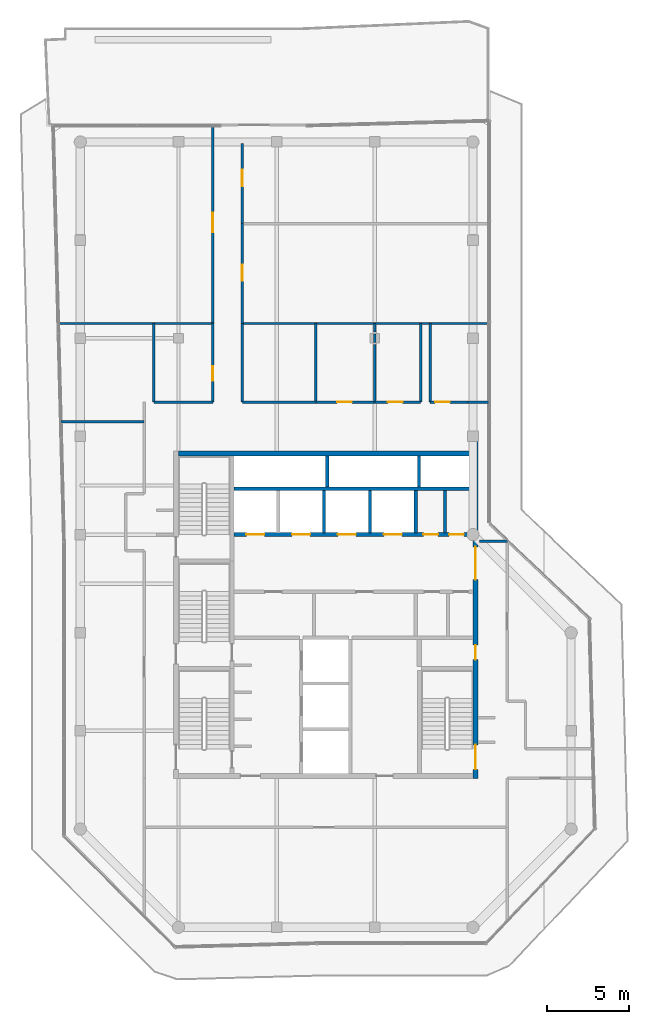
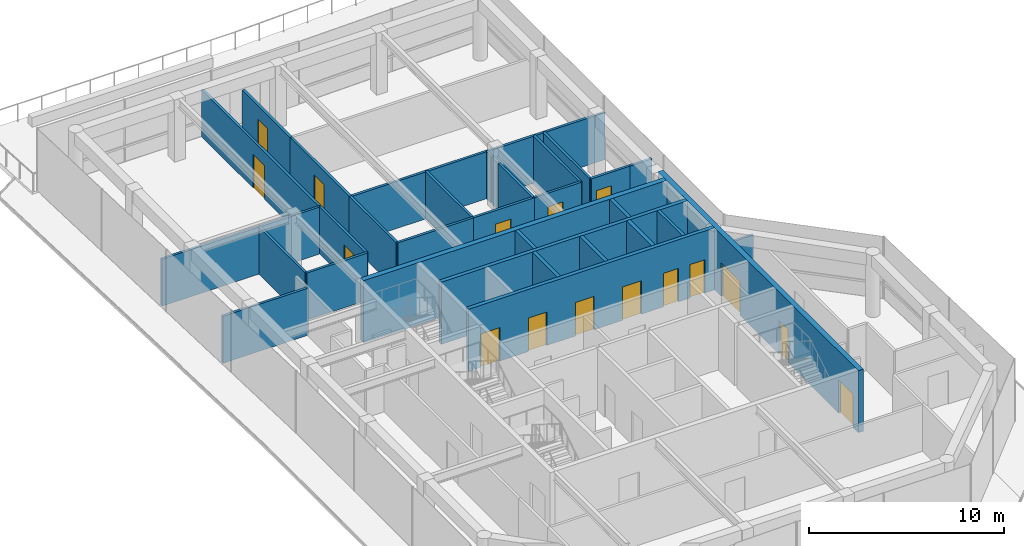
# One storey, part 17 of 20: 32 walls, 16 doors, 16 openings.
"""IFC4 building model written with IfcOpenShell, lengths in metres."""

from ifc_helpers import new_model, si_unit, direction, frame, frame_2d, origin, place, context, subcontext, project, spatial, rectangle, extrude, material, layer, layer_set, type_object, element, fill, save


model = new_model("IFC4")

# Units and contexts
model_context = context("Model", 3, precision=1e-05, world=origin(), true_north=direction((0.0, 1.0)))
body_context = subcontext(model_context, "Body", "Model", "MODEL_VIEW")
ifc_project = project(units=[si_unit("LENGTHUNIT", "METRE"), si_unit("AREAUNIT", "SQUARE_METRE"), si_unit("VOLUMEUNIT", "CUBIC_METRE"), si_unit("PLANEANGLEUNIT", "RADIAN"), si_unit("MASSUNIT", "GRAM", prefix="KILO")], contexts=[model_context])

# Site, building, storey
site_placement = place(None, origin())
site = spatial("IfcSite", under=ifc_project, at=site_placement, CompositionType="ELEMENT")
building_placement = place(site_placement, origin())
building = spatial("IfcBuilding", under=site, at=building_placement, Name="Welwitschia Terrace Campus", CompositionType="ELEMENT")
storey_placement = place(building_placement, frame((0.0, 0.0, 327.199951171875)))
storey = spatial("IfcBuildingStorey", under=building, at=storey_placement, Name="L73", CompositionType="ELEMENT", Elevation=327.199951171875)

# Wall
ifc_material_1 = material(Name="Concrete C32/40", Category="concrete")
ifc_layer_1 = layer(ifc_material_1, 0.175048828125)
ifc_layer_set_1 = layer_set([ifc_layer_1], Name="Concrete C32/40")
wall_type_1 = type_object("IfcWallType", Name="Core partition 175 Concrete C32/40", PredefinedType="PARTITIONING", material=ifc_layer_set_1)
wall_1_placement = place(storey_placement, frame((22.300048828125, 20.10009765625, 0.0), z_axis=(0.0, 0.0, 1.0), x_axis=(0.0, 1.0, 0.0)))
element("IfcWall", 1, at=wall_1_placement, inside=storey, type_object=wall_type_1, Name="Core partition", PredefinedType="PARTITIONING", context=body_context, shape_type="SweptSolid", body=[
    extrude(rectangle(XDim=2.599853515625, YDim=0.175048828125, at=frame_2d((1.2998046875, 0.0))), origin(), (0.0, 0.0, 1.0), 3.900146484375),
])

# Wall, openings, doors
ifc_material_2 = material(Name="Concrete C32/40", Category="concrete")
ifc_layer_2 = layer(ifc_material_2, 0.22509765625)
ifc_layer_set_2 = layer_set([ifc_layer_2], Name="Concrete C32/40")
wall_type_2 = type_object("IfcWallType", Name="Core partition 225 Concrete C32/40", PredefinedType="PARTITIONING", material=ifc_layer_set_2)
wall_2_placement = place(storey_placement, frame((24.0, 20.0, 0.0), z_axis=(0.0, 0.0, 1.0), x_axis=(-1.0, 0.0, 0.0)))
wall_2 = element("IfcWall", 2, at=wall_2_placement, inside=storey, type_object=wall_type_2, Name="Shaft wall", PredefinedType="PARTITIONING", context=body_context, shape_type="SweptSolid", body=[
    extrude(rectangle(XDim=14.60009765625, YDim=0.22509765625, at=frame_2d((7.300048828125, 0.0))), origin(), (0.0, 0.0, 1.0), 3.900146484375),
])
opening_1_placement = place(wall_2_placement, frame((12.75, 0.0, 0.0)))
opening_1 = element("IfcOpeningElement", 3, at=opening_1_placement, cuts=wall_2, Name="Opening LD", PredefinedType="OPENING", context=body_context, shape_type="SweptSolid", body=[
    extrude(rectangle(XDim=1.10009765625, YDim=2.10009765625, at=frame_2d((0.550048828125, 1.050048828125))), frame((0.0, 0.12255859375, 0.0), z_axis=(0.0, -1.0, 0.0), x_axis=(1.0, 0.0, 0.0)), (0.0, 0.0, 1.0), 0.2451171875),
])
opening_2_placement = place(wall_2_placement, frame((9.949951171875, 0.0, 0.0)))
opening_2 = element("IfcOpeningElement", 4, at=opening_2_placement, cuts=wall_2, Name="Opening LD", PredefinedType="OPENING", context=body_context, shape_type="SweptSolid", body=[
    extrude(rectangle(XDim=1.10009765625, YDim=2.10009765625, at=frame_2d((0.550048828125, 1.050048828125))), frame((0.0, 0.12255859375, 0.0), z_axis=(0.0, -1.0, 0.0), x_axis=(1.0, 0.0, 0.0)), (0.0, 0.0, 1.0), 0.2451171875),
])
opening_3_placement = place(wall_2_placement, frame((7.14990234375, 0.0, 0.0)))
opening_3 = element("IfcOpeningElement", 5, at=opening_3_placement, cuts=wall_2, Name="Opening LD", PredefinedType="OPENING", context=body_context, shape_type="SweptSolid", body=[
    extrude(rectangle(XDim=1.10009765625, YDim=2.10009765625, at=frame_2d((0.550048828125, 1.050048828125))), frame((0.0, 0.12255859375, 0.0), z_axis=(0.0, -1.0, 0.0), x_axis=(1.0, 0.0, 0.0)), (0.0, 0.0, 1.0), 0.2451171875),
])
opening_4_placement = place(wall_2_placement, frame((4.35009765625, 0.0, 0.0)))
opening_4 = element("IfcOpeningElement", 6, at=opening_4_placement, cuts=wall_2, Name="Opening LD", PredefinedType="OPENING", context=body_context, shape_type="SweptSolid", body=[
    extrude(rectangle(XDim=1.10009765625, YDim=2.10009765625, at=frame_2d((0.550048828125, 1.050048828125))), frame((0.0, 0.12255859375, 0.0), z_axis=(0.0, -1.0, 0.0), x_axis=(1.0, 0.0, 0.0)), (0.0, 0.0, 1.0), 0.2451171875),
])
opening_5_placement = place(wall_2_placement, frame((2.137451171875, 0.0, 0.0)))
opening_5 = element("IfcOpeningElement", 7, at=opening_5_placement, cuts=wall_2, Name="Opening DR09", PredefinedType="OPENING", context=body_context, shape_type="SweptSolid", body=[
    extrude(rectangle(XDim=0.89990234375, YDim=2.10009765625, at=frame_2d((0.449951171875, 1.050048828125))), frame((0.0, 0.12255859375, 0.0), z_axis=(0.0, -1.0, 0.0), x_axis=(1.0, 0.0, 0.0)), (0.0, 0.0, 1.0), 0.2451171875),
])
opening_6_placement = place(wall_2_placement, frame((0.56201171875, 0.0, 0.0)))
opening_6 = element("IfcOpeningElement", 8, at=opening_6_placement, cuts=wall_2, Name="Opening DR09", PredefinedType="OPENING", context=body_context, shape_type="SweptSolid", body=[
    extrude(rectangle(XDim=0.89990234375, YDim=2.10009765625, at=frame_2d((0.449951171875, 1.050048828125))), frame((0.0, 0.12255859375, 0.0), z_axis=(0.0, -1.0, 0.0), x_axis=(1.0, 0.0, 0.0)), (0.0, 0.0, 1.0), 0.2451171875),
])
ifc_material_3 = material(Name="Steel S275", Category="steel")
door_type_1 = type_object("IfcDoorType", Name="Core door DR09", OperationType="SINGLE_SWING_LEFT", PredefinedType="DOOR", material=ifc_material_3)
door_1_placement = place(opening_5_placement, origin())
door_1 = element("IfcDoor", 9, at=door_1_placement, inside=storey, type_object=door_type_1, Name="Door EH1-D", OperationType="SINGLE_SWING_LEFT", OverallHeight=2.10009765625, OverallWidth=0.89990234375, PredefinedType="DOOR", context=body_context, shape_type="SweptSolid", body=[
    extrude(rectangle(XDim=0.89990234375, YDim=2.10009765625, at=frame_2d((0.449951171875, 1.050048828125))), frame((0.0, 0.02490234375, 0.0), z_axis=(0.0, -1.0, 0.0), x_axis=(1.0, 0.0, 0.0)), (0.0, 0.0, 1.0), 0.050048828125),
])
fill(opening_5, door_1)
door_2_placement = place(opening_6_placement, origin())
door_2 = element("IfcDoor", 10, at=door_2_placement, inside=storey, type_object=door_type_1, Name="Door EH2-D", OperationType="SINGLE_SWING_LEFT", OverallHeight=2.10009765625, OverallWidth=0.89990234375, PredefinedType="DOOR", context=body_context, shape_type="SweptSolid", body=[
    extrude(rectangle(XDim=0.89990234375, YDim=2.10009765625, at=frame_2d((0.449951171875, 1.050048828125))), frame((0.0, 0.02490234375, 0.0), z_axis=(0.0, -1.0, 0.0), x_axis=(1.0, 0.0, 0.0)), (0.0, 0.0, 1.0), 0.050048828125),
])
fill(opening_6, door_2)
ifc_material_4 = material(Name="Stainless steel 304", Category="steel")
door_type_2 = type_object("IfcDoorType", Name="Lift landing door", OperationType="DOUBLE_DOOR_SLIDING", PredefinedType="DOOR", material=ifc_material_4)
door_3_placement = place(opening_1_placement, origin())
door_3 = element("IfcDoor", 11, at=door_3_placement, inside=storey, type_object=door_type_2, Name="Landing door HR1", OperationType="DOUBLE_DOOR_SLIDING", OverallHeight=2.10009765625, OverallWidth=1.10009765625, PredefinedType="DOOR", context=body_context, shape_type="SweptSolid", body=[
    extrude(rectangle(XDim=1.10009765625, YDim=2.10009765625, at=frame_2d((0.550048828125, 1.050048828125))), frame((0.0, 0.02490234375, 0.0), z_axis=(0.0, -1.0, 0.0), x_axis=(1.0, 0.0, 0.0)), (0.0, 0.0, 1.0), 0.050048828125),
])
fill(opening_1, door_3)
door_4_placement = place(opening_2_placement, origin())
door_4 = element("IfcDoor", 12, at=door_4_placement, inside=storey, type_object=door_type_2, Name="Landing door HR2", OperationType="DOUBLE_DOOR_SLIDING", OverallHeight=2.10009765625, OverallWidth=1.10009765625, PredefinedType="DOOR", context=body_context, shape_type="SweptSolid", body=[
    extrude(rectangle(XDim=1.10009765625, YDim=2.10009765625, at=frame_2d((0.550048828125, 1.050048828125))), frame((0.0, 0.02490234375, 0.0), z_axis=(0.0, -1.0, 0.0), x_axis=(1.0, 0.0, 0.0)), (0.0, 0.0, 1.0), 0.050048828125),
])
fill(opening_2, door_4)
door_5_placement = place(opening_3_placement, origin())
door_5 = element("IfcDoor", 13, at=door_5_placement, inside=storey, type_object=door_type_2, Name="Landing door HR3", OperationType="DOUBLE_DOOR_SLIDING", OverallHeight=2.10009765625, OverallWidth=1.10009765625, PredefinedType="DOOR", context=body_context, shape_type="SweptSolid", body=[
    extrude(rectangle(XDim=1.10009765625, YDim=2.10009765625, at=frame_2d((0.550048828125, 1.050048828125))), frame((0.0, 0.02490234375, 0.0), z_axis=(0.0, -1.0, 0.0), x_axis=(1.0, 0.0, 0.0)), (0.0, 0.0, 1.0), 0.050048828125),
])
fill(opening_3, door_5)
door_6_placement = place(opening_4_placement, origin())
door_6 = element("IfcDoor", 14, at=door_6_placement, inside=storey, type_object=door_type_2, Name="Landing door HR4", OperationType="DOUBLE_DOOR_SLIDING", OverallHeight=2.10009765625, OverallWidth=1.10009765625, PredefinedType="DOOR", context=body_context, shape_type="SweptSolid", body=[
    extrude(rectangle(XDim=1.10009765625, YDim=2.10009765625, at=frame_2d((0.550048828125, 1.050048828125))), frame((0.0, 0.02490234375, 0.0), z_axis=(0.0, -1.0, 0.0), x_axis=(1.0, 0.0, 0.0)), (0.0, 0.0, 1.0), 0.050048828125),
])
fill(opening_4, door_6)

# Walls
wall_3_placement = place(storey_placement, frame((9.39990234375, 22.800048828125, 0.0), z_axis=(0.0, 0.0, 1.0), x_axis=(1.0, 0.0, 0.0)))
element("IfcWall", 15, at=wall_3_placement, inside=storey, type_object=wall_type_2, Name="Shaft wall", PredefinedType="PARTITIONING", context=body_context, shape_type="SweptSolid", body=[
    extrude(rectangle(XDim=14.60009765625, YDim=0.22509765625, at=frame_2d((7.300048828125, 0.0))), origin(), (0.0, 0.0, 1.0), 3.900146484375),
])
wall_4_placement = place(storey_placement, frame((20.5, 20.10009765625, 0.0), z_axis=(0.0, 0.0, 1.0), x_axis=(0.0, 1.0, 0.0)))
element("IfcWall", 16, at=wall_4_placement, inside=storey, type_object=wall_type_2, Name="Shaft wall", PredefinedType="PARTITIONING", context=body_context, shape_type="SweptSolid", body=[
    extrude(rectangle(XDim=2.599853515625, YDim=0.22509765625, at=frame_2d((1.2998046875, 0.0))), origin(), (0.0, 0.0, 1.0), 3.900146484375),
])
ifc_material_5 = material(Name="Concrete C50/60", Category="concrete")
ifc_layer_3 = layer(ifc_material_5, 0.199951171875)
ifc_layer_set_3 = layer_set([ifc_layer_3], Name="Concrete C50/60")
wall_type_3 = type_object("IfcWallType", Name="Core wall 200 Concrete C50/60", PredefinedType="SHEAR", material=ifc_layer_set_3)
for number, where, z_axis, x_axis, name in (
    (17, (15.10009765625, 22.89990234375, 0.0), (0.0, 0.0, 1.0), (0.0, 1.0, 0.0), "Core wall"),
    (18, (20.699951171875, 22.89990234375, 0.0), (0.0, 0.0, 1.0), (0.0, 1.0, 0.0), "Core wall"),
):
    element("IfcWall", number, at=place(storey_placement, frame(where, z_axis=z_axis, x_axis=x_axis)), inside=storey, type_object=wall_type_3, Name=name, PredefinedType="SHEAR", context=body_context, shape_type="SweptSolid", body=[
        extrude(rectangle(XDim=1.900146484375, YDim=0.199951171875, at=frame_2d((0.9501953125, 0.0))), origin(), (0.0, 0.0, 1.0), 3.900146484375),
    ])

# Wall, openings, doors
ifc_material_6 = material(Name="Concrete C50/60", Category="concrete")
ifc_layer_4 = layer(ifc_material_6, 0.300048828125)
ifc_layer_set_4 = layer_set([ifc_layer_4], Name="Concrete C50/60")
wall_type_4 = type_object("IfcWallType", Name="Core wall 300 Concrete C50/60", PredefinedType="SHEAR", material=ifc_layer_set_4)
wall_5_placement = place(storey_placement, frame((24.14990234375, 25.705078125, 0.0), z_axis=(0.0, 0.0, 1.0), x_axis=(0.0, -1.0, 0.0)))
wall_5 = element("IfcWall", 19, at=wall_5_placement, inside=storey, type_object=wall_type_4, Name="Core outer wall", PredefinedType="SHEAR", context=body_context, shape_type="SweptSolid", body=[
    extrude(rectangle(XDim=20.60498046875, YDim=0.300048828125, at=frame_2d((10.302490234375, 0.0))), origin(), (0.0, 0.0, 1.0), 3.900146484375),
])
opening_7_placement = place(wall_5_placement, frame((18.554931640625, 0.0, 0.0)))
opening_7 = element("IfcOpeningElement", 20, at=opening_7_placement, cuts=wall_5, Name="Opening DS15", PredefinedType="OPENING", context=body_context, shape_type="SweptSolid", body=[
    extrude(rectangle(XDim=1.5, YDim=2.10009765625, at=frame_2d((0.75, 1.050048828125))), frame((0.0, 0.159912109375, 0.0), z_axis=(0.0, -1.0, 0.0), x_axis=(1.0, 0.0, 0.0)), (0.0, 0.0, 1.0), 0.320068359375),
])
opening_8_placement = place(wall_5_placement, frame((12.455078125, 0.0, 0.0)))
opening_8 = element("IfcOpeningElement", 21, at=opening_8_placement, cuts=wall_5, Name="Opening DR09", PredefinedType="OPENING", context=body_context, shape_type="SweptSolid", body=[
    extrude(rectangle(XDim=0.89990234375, YDim=2.10009765625, at=frame_2d((0.449951171875, 1.050048828125))), frame((0.0, 0.159912109375, 0.0), z_axis=(0.0, -1.0, 0.0), x_axis=(1.0, 0.0, 0.0)), (0.0, 0.0, 1.0), 0.320068359375),
])
opening_9_placement = place(wall_5_placement, frame((6.455078125, 0.0, 0.0)))
opening_9 = element("IfcOpeningElement", 22, at=opening_9_placement, cuts=wall_5, Name="Opening DL20", PredefinedType="OPENING", context=body_context, shape_type="SweptSolid", body=[
    extrude(rectangle(XDim=2.0, YDim=2.10009765625, at=frame_2d((1.0, 1.050048828125))), frame((0.0, 0.159912109375, 0.0), z_axis=(0.0, -1.0, 0.0), x_axis=(1.0, 0.0, 0.0)), (0.0, 0.0, 1.0), 0.320068359375),
])
ifc_material_7 = material(Name="Steel S275", Category="steel")
door_type_3 = type_object("IfcDoorType", Name="Core door DL20", OperationType="DOUBLE_DOOR_SINGLE_SWING", PredefinedType="DOOR", material=ifc_material_7)
door_7_placement = place(opening_9_placement, origin())
door_7 = element("IfcDoor", 23, at=door_7_placement, inside=storey, type_object=door_type_3, Name="Door LOBBY-out", OperationType="DOUBLE_DOOR_SINGLE_SWING", OverallHeight=2.10009765625, OverallWidth=2.0, PredefinedType="DOOR", context=body_context, shape_type="SweptSolid", body=[
    extrude(rectangle(XDim=2.0, YDim=2.10009765625, at=frame_2d((1.0, 1.050048828125))), frame((0.0, 0.02490234375, 0.0), z_axis=(0.0, -1.0, 0.0), x_axis=(1.0, 0.0, 0.0)), (0.0, 0.0, 1.0), 0.050048828125),
])
fill(opening_9, door_7)
door_8_placement = place(opening_8_placement, origin())
door_8 = element("IfcDoor", 24, at=door_8_placement, inside=storey, type_object=door_type_1, Name="Door F1B-out", OperationType="SINGLE_SWING_RIGHT", OverallHeight=2.10009765625, OverallWidth=0.89990234375, PredefinedType="DOOR", context=body_context, shape_type="SweptSolid", body=[
    extrude(rectangle(XDim=0.89990234375, YDim=2.10009765625, at=frame_2d((0.449951171875, 1.050048828125))), frame((0.0, 0.02490234375, 0.0), z_axis=(0.0, -1.0, 0.0), x_axis=(1.0, 0.0, 0.0)), (0.0, 0.0, 1.0), 0.050048828125),
])
fill(opening_8, door_8)
ifc_material_8 = material(Name="Steel S275", Category="steel")
door_type_4 = type_object("IfcDoorType", Name="Core door DS15", OperationType="DOUBLE_DOOR_SINGLE_SWING", PredefinedType="DOOR", material=ifc_material_8)
door_9_placement = place(opening_7_placement, origin())
door_9 = element("IfcDoor", 25, at=door_9_placement, inside=storey, type_object=door_type_4, Name="Door S2-out", OperationType="DOUBLE_DOOR_SINGLE_SWING", OverallHeight=2.10009765625, OverallWidth=1.5, PredefinedType="DOOR", context=body_context, shape_type="SweptSolid", body=[
    extrude(rectangle(XDim=1.5, YDim=2.10009765625, at=frame_2d((0.75, 1.050048828125))), frame((0.0, 0.02490234375, 0.0), z_axis=(0.0, -1.0, 0.0), x_axis=(1.0, 0.0, 0.0)), (0.0, 0.0, 1.0), 0.050048828125),
])
fill(opening_7, door_9)

# Walls
wall_6_placement = place(storey_placement, frame((6.0, 24.949951171875, 0.0), z_axis=(0.0, 0.0, 1.0), x_axis=(1.0, 0.0, 0.0)))
element("IfcWall", 26, at=wall_6_placement, inside=storey, type_object=wall_type_4, Name="Core outer wall", PredefinedType="SHEAR", context=body_context, shape_type="SweptSolid", body=[
    extrude(rectangle(XDim=18.0, YDim=0.300048828125, at=frame_2d((9.0, 0.0))), origin(), (0.0, 0.0, 1.0), 3.900146484375),
])
ifc_material_9 = material(Name="Gypsum board on steel studs", Category="steel")
ifc_layer_5 = layer(ifc_material_9, 0.14990234375)
ifc_layer_set_5 = layer_set([ifc_layer_5], Name="Gypsum board on steel studs")
wall_type_5 = type_object("IfcWallType", Name="Corridor partition 150 EI 30", PredefinedType="PARTITIONING", material=ifc_layer_set_5)
wall_7_placement = place(storey_placement, frame((-1.330078125, 32.89990234375, 0.0), z_axis=(0.0, 0.0, 1.0), x_axis=(1.0, 0.0, 0.0)))
element("IfcWall", 27, at=wall_7_placement, inside=storey, type_object=wall_type_5, Name="Partition", PredefinedType="PARTITIONING", context=body_context, shape_type="SweptSolid", body=[
    extrude(rectangle(XDim=9.43017578125, YDim=0.14990234375, at=frame_2d((4.715087890625, 0.0))), origin(), (0.0, 0.0, 1.0), 2.949951171875),
])
wall_8_placement = place(storey_placement, frame((-1.169921875, 26.89990234375, 0.0), z_axis=(0.0, 0.0, 1.0), x_axis=(1.0, 0.0, 0.0)))
element("IfcWall", 28, at=wall_8_placement, inside=storey, type_object=wall_type_5, Name="Partition", PredefinedType="PARTITIONING", context=body_context, shape_type="SweptSolid", body=[
    extrude(rectangle(XDim=5.06982421875, YDim=0.14990234375, at=frame_2d((2.534912109375, 0.0))), origin(), (0.0, 0.0, 1.0), 2.949951171875),
])
wall_9_placement = place(storey_placement, frame((4.5, 28.10009765625, 0.0), z_axis=(0.0, 0.0, 1.0), x_axis=(0.0, 1.0, 0.0)))
element("IfcWall", 29, at=wall_9_placement, inside=storey, type_object=wall_type_5, Name="Partition", PredefinedType="PARTITIONING", context=body_context, shape_type="SweptSolid", body=[
    extrude(rectangle(XDim=4.7998046875, YDim=0.14990234375, at=frame_2d((2.39990234375, 0.0))), origin(), (0.0, 0.0, 1.0), 2.949951171875),
])
wall_10_placement = place(storey_placement, frame((4.5, 28.10009765625, 0.0), z_axis=(0.0, 0.0, 1.0), x_axis=(1.0, 0.0, 0.0)))
element("IfcWall", 30, at=wall_10_placement, inside=storey, type_object=wall_type_5, Name="Partition", PredefinedType="PARTITIONING", context=body_context, shape_type="SweptSolid", body=[
    extrude(rectangle(XDim=3.60009765625, YDim=0.14990234375, at=frame_2d((1.800048828125, 0.0))), origin(), (0.0, 0.0, 1.0), 2.949951171875),
])

# Wall, opening, door
wall_11_placement = place(storey_placement, frame((8.10009765625, 28.10009765625, 0.0), z_axis=(0.0, 0.0, 1.0), x_axis=(0.0, 1.0, 0.0)))
wall_11 = element("IfcWall", 31, at=wall_11_placement, inside=storey, type_object=wall_type_5, Name="Partition", PredefinedType="PARTITIONING", context=body_context, shape_type="SweptSolid", body=[
    extrude(rectangle(XDim=4.7998046875, YDim=0.14990234375, at=frame_2d((2.39990234375, 0.0))), origin(), (0.0, 0.0, 1.0), 2.949951171875),
])
opening_10_placement = place(wall_11_placement, frame((1.300048828125, 0.0, 0.0)))
opening_10 = element("IfcOpeningElement", 32, at=opening_10_placement, cuts=wall_11, Name="Opening DI09", PredefinedType="OPENING", context=body_context, shape_type="SweptSolid", body=[
    extrude(rectangle(XDim=0.89990234375, YDim=2.10009765625, at=frame_2d((0.449951171875, 1.050048828125))), frame((0.0, 0.0849609375, 0.0), z_axis=(0.0, -1.0, 0.0), x_axis=(1.0, 0.0, 0.0)), (0.0, 0.0, 1.0), 0.169921875),
])
ifc_material_10 = material(Name="Timber veneered door", Category="wood")
door_type_5 = type_object("IfcDoorType", Name="Interior door DI09", OperationType="NOTDEFINED", PredefinedType="DOOR", material=ifc_material_10)
door_10_placement = place(opening_10_placement, origin())
door_10 = element("IfcDoor", 33, at=door_10_placement, inside=storey, type_object=door_type_5, Name="Door L73 1269", OperationType="SINGLE_SWING_RIGHT", OverallHeight=2.10009765625, OverallWidth=0.89990234375, PredefinedType="DOOR", context=body_context, shape_type="SweptSolid", body=[
    extrude(rectangle(XDim=0.89990234375, YDim=2.10009765625, at=frame_2d((0.449951171875, 1.050048828125))), frame((0.0, 0.02490234375, 0.0), z_axis=(0.0, -1.0, 0.0), x_axis=(1.0, 0.0, 0.0)), (0.0, 0.0, 1.0), 0.050048828125),
])
fill(opening_10, door_10)

wall_12_placement = place(storey_placement, frame((8.10009765625, 32.89990234375, 0.0), z_axis=(0.0, 0.0, 1.0), x_axis=(0.0, 1.0, 0.0)))
wall_12 = element("IfcWall", 34, at=wall_12_placement, inside=storey, type_object=wall_type_5, Name="Partition", PredefinedType="PARTITIONING", context=body_context, shape_type="SweptSolid", body=[
    extrude(rectangle(XDim=12.080078125, YDim=0.14990234375, at=frame_2d((6.0400390625, 0.0))), origin(), (0.0, 0.0, 1.0), 2.949951171875),
])
opening_11_placement = place(wall_12_placement, frame((5.580078125, 0.0, 0.0)))
opening_11 = element("IfcOpeningElement", 35, at=opening_11_placement, cuts=wall_12, Name="Opening DI12", PredefinedType="OPENING", context=body_context, shape_type="SweptSolid", body=[
    extrude(rectangle(XDim=1.199951171875, YDim=2.10009765625, at=frame_2d((0.60009765625, 1.050048828125))), frame((0.0, 0.0849609375, 0.0), z_axis=(0.0, -1.0, 0.0), x_axis=(1.0, 0.0, 0.0)), (0.0, 0.0, 1.0), 0.169921875),
])
ifc_material_11 = material(Name="Timber veneered door", Category="wood")
door_type_6 = type_object("IfcDoorType", Name="Interior door DI12", OperationType="NOTDEFINED", PredefinedType="DOOR", material=ifc_material_11)
door_11_placement = place(opening_11_placement, origin())
door_11 = element("IfcDoor", 36, at=door_11_placement, inside=storey, type_object=door_type_6, Name="Door L73 1270", OperationType="SINGLE_SWING_LEFT", OverallHeight=2.10009765625, OverallWidth=1.199951171875, PredefinedType="DOOR", context=body_context, shape_type="SweptSolid", body=[
    extrude(rectangle(XDim=1.199951171875, YDim=2.10009765625, at=frame_2d((0.60009765625, 1.050048828125))), frame((0.0, 0.02490234375, 0.0), z_axis=(0.0, -1.0, 0.0), x_axis=(1.0, 0.0, 0.0)), (0.0, 0.0, 1.0), 0.050048828125),
])
fill(opening_11, door_11)

# Walls
wall_13_placement = place(storey_placement, frame((9.89990234375, 28.10009765625, 0.0), z_axis=(0.0, 0.0, 1.0), x_axis=(0.0, 1.0, 0.0)))
element("IfcWall", 37, at=wall_13_placement, inside=storey, type_object=wall_type_5, Name="Partition", PredefinedType="PARTITIONING", context=body_context, shape_type="SweptSolid", body=[
    extrude(rectangle(XDim=4.7998046875, YDim=0.14990234375, at=frame_2d((2.39990234375, 0.0))), origin(), (0.0, 0.0, 1.0), 2.949951171875),
])
wall_14_placement = place(storey_placement, frame((9.89990234375, 28.10009765625, 0.0), z_axis=(0.0, 0.0, 1.0), x_axis=(1.0, 0.0, 0.0)))
element("IfcWall", 38, at=wall_14_placement, inside=storey, type_object=wall_type_5, Name="Partition", PredefinedType="PARTITIONING", context=body_context, shape_type="SweptSolid", body=[
    extrude(rectangle(XDim=4.5, YDim=0.14990234375, at=frame_2d((2.25, 0.0))), origin(), (0.0, 0.0, 1.0), 2.949951171875),
])
wall_15_placement = place(storey_placement, frame((9.89990234375, 32.89990234375, 0.0), z_axis=(0.0, 0.0, 1.0), x_axis=(1.0, 0.0, 0.0)))
element("IfcWall", 39, at=wall_15_placement, inside=storey, type_object=wall_type_5, Name="Partition", PredefinedType="PARTITIONING", context=body_context, shape_type="SweptSolid", body=[
    extrude(rectangle(XDim=15.0751953125, YDim=0.14990234375, at=frame_2d((7.53759765625, 0.0))), origin(), (0.0, 0.0, 1.0), 2.949951171875),
])

# Wall, opening, door
wall_16_placement = place(storey_placement, frame((9.89990234375, 39.0, 0.0), z_axis=(0.0, 0.0, 1.0), x_axis=(0.0, -1.0, 0.0)))
wall_16 = element("IfcWall", 40, at=wall_16_placement, inside=storey, type_object=wall_type_5, Name="Partition", PredefinedType="PARTITIONING", context=body_context, shape_type="SweptSolid", body=[
    extrude(rectangle(XDim=6.10009765625, YDim=0.14990234375, at=frame_2d((3.050048828125, 0.0))), origin(), (0.0, 0.0, 1.0), 2.949951171875),
])
opening_12_placement = place(wall_16_placement, frame((2.5, 0.0, 0.0)))
opening_12 = element("IfcOpeningElement", 41, at=opening_12_placement, cuts=wall_16, Name="Opening DI10", PredefinedType="OPENING", context=body_context, shape_type="SweptSolid", body=[
    extrude(rectangle(XDim=1.0, YDim=2.10009765625, at=frame_2d((0.5, 1.050048828125))), frame((0.0, 0.0849609375, 0.0), z_axis=(0.0, -1.0, 0.0), x_axis=(1.0, 0.0, 0.0)), (0.0, 0.0, 1.0), 0.169921875),
])
ifc_material_12 = material(Name="Timber veneered door", Category="wood")
door_type_7 = type_object("IfcDoorType", Name="Interior door DI10", OperationType="NOTDEFINED", PredefinedType="DOOR", material=ifc_material_12)
door_12_placement = place(opening_12_placement, origin())
door_12 = element("IfcDoor", 42, at=door_12_placement, inside=storey, type_object=door_type_7, Name="Door L73 1271", OperationType="SINGLE_SWING_RIGHT", OverallHeight=2.10009765625, OverallWidth=1.0, PredefinedType="DOOR", context=body_context, shape_type="SweptSolid", body=[
    extrude(rectangle(XDim=1.0, YDim=2.10009765625, at=frame_2d((0.5, 1.050048828125))), frame((0.0, 0.02490234375, 0.0), z_axis=(0.0, -1.0, 0.0), x_axis=(1.0, 0.0, 0.0)), (0.0, 0.0, 1.0), 0.050048828125),
])
fill(opening_12, door_12)

wall_17_placement = place(storey_placement, frame((9.89990234375, 43.89990234375, 0.0), z_axis=(0.0, 0.0, 1.0), x_axis=(0.0, -1.0, 0.0)))
wall_17 = element("IfcWall", 43, at=wall_17_placement, inside=storey, type_object=wall_type_5, Name="Partition", PredefinedType="PARTITIONING", context=body_context, shape_type="SweptSolid", body=[
    extrude(rectangle(XDim=4.89990234375, YDim=0.14990234375, at=frame_2d((2.449951171875, 0.0))), origin(), (0.0, 0.0, 1.0), 2.949951171875),
])
opening_13_placement = place(wall_17_placement, frame((1.60009765625, 0.0, 0.0)))
opening_13 = element("IfcOpeningElement", 44, at=opening_13_placement, cuts=wall_17, Name="Opening DI10", PredefinedType="OPENING", context=body_context, shape_type="SweptSolid", body=[
    extrude(rectangle(XDim=1.0, YDim=2.10009765625, at=frame_2d((0.5, 1.050048828125))), frame((0.0, 0.0849609375, 0.0), z_axis=(0.0, -1.0, 0.0), x_axis=(1.0, 0.0, 0.0)), (0.0, 0.0, 1.0), 0.169921875),
])
door_13_placement = place(opening_13_placement, origin())
door_13 = element("IfcDoor", 45, at=door_13_placement, inside=storey, type_object=door_type_7, Name="Door L73 1272", OperationType="SINGLE_SWING_LEFT", OverallHeight=2.10009765625, OverallWidth=1.0, PredefinedType="DOOR", context=body_context, shape_type="SweptSolid", body=[
    extrude(rectangle(XDim=1.0, YDim=2.10009765625, at=frame_2d((0.5, 1.050048828125))), frame((0.0, 0.02490234375, 0.0), z_axis=(0.0, -1.0, 0.0), x_axis=(1.0, 0.0, 0.0)), (0.0, 0.0, 1.0), 0.050048828125),
])
fill(opening_13, door_13)

# Wall
wall_18_placement = place(storey_placement, frame((14.39990234375, 28.10009765625, 0.0), z_axis=(0.0, 0.0, 1.0), x_axis=(0.0, 1.0, 0.0)))
element("IfcWall", 46, at=wall_18_placement, inside=storey, type_object=wall_type_5, Name="Partition", PredefinedType="PARTITIONING", context=body_context, shape_type="SweptSolid", body=[
    extrude(rectangle(XDim=4.7998046875, YDim=0.14990234375, at=frame_2d((2.39990234375, 0.0))), origin(), (0.0, 0.0, 1.0), 2.949951171875),
])

# Wall, opening, door
wall_19_placement = place(storey_placement, frame((14.39990234375, 28.10009765625, 0.0), z_axis=(0.0, 0.0, 1.0), x_axis=(1.0, 0.0, 0.0)))
wall_19 = element("IfcWall", 47, at=wall_19_placement, inside=storey, type_object=wall_type_5, Name="Partition", PredefinedType="PARTITIONING", context=body_context, shape_type="SweptSolid", body=[
    extrude(rectangle(XDim=3.60009765625, YDim=0.14990234375, at=frame_2d((1.800048828125, 0.0))), origin(), (0.0, 0.0, 1.0), 2.949951171875),
])
opening_14_placement = place(wall_19_placement, frame((1.300048828125, 0.0, 0.0)))
opening_14 = element("IfcOpeningElement", 48, at=opening_14_placement, cuts=wall_19, Name="Opening DI09", PredefinedType="OPENING", context=body_context, shape_type="SweptSolid", body=[
    extrude(rectangle(XDim=0.89990234375, YDim=2.10009765625, at=frame_2d((0.449951171875, 1.050048828125))), frame((0.0, 0.0849609375, 0.0), z_axis=(0.0, -1.0, 0.0), x_axis=(1.0, 0.0, 0.0)), (0.0, 0.0, 1.0), 0.169921875),
])
door_14_placement = place(opening_14_placement, origin())
door_14 = element("IfcDoor", 49, at=door_14_placement, inside=storey, type_object=door_type_5, Name="Door L73 1273", OperationType="SINGLE_SWING_RIGHT", OverallHeight=2.10009765625, OverallWidth=0.89990234375, PredefinedType="DOOR", context=body_context, shape_type="SweptSolid", body=[
    extrude(rectangle(XDim=0.89990234375, YDim=2.10009765625, at=frame_2d((0.449951171875, 1.050048828125))), frame((0.0, 0.02490234375, 0.0), z_axis=(0.0, -1.0, 0.0), x_axis=(1.0, 0.0, 0.0)), (0.0, 0.0, 1.0), 0.050048828125),
])
fill(opening_14, door_14)

# Wall
wall_20_placement = place(storey_placement, frame((18.0, 28.10009765625, 0.0), z_axis=(0.0, 0.0, 1.0), x_axis=(0.0, 1.0, 0.0)))
element("IfcWall", 50, at=wall_20_placement, inside=storey, type_object=wall_type_5, Name="Partition", PredefinedType="PARTITIONING", context=body_context, shape_type="SweptSolid", body=[
    extrude(rectangle(XDim=3.52978515625, YDim=0.14990234375, at=frame_2d((1.764892578125, 0.0))), origin(), (0.0, 0.0, 1.0), 2.949951171875),
])

# Wall, opening, door
wall_21_placement = place(storey_placement, frame((18.0, 28.10009765625, 0.0), z_axis=(0.0, 0.0, 1.0), x_axis=(1.0, 0.0, 0.0)))
wall_21 = element("IfcWall", 51, at=wall_21_placement, inside=storey, type_object=wall_type_5, Name="Partition", PredefinedType="PARTITIONING", context=body_context, shape_type="SweptSolid", body=[
    extrude(rectangle(XDim=2.800048828125, YDim=0.14990234375, at=frame_2d((1.39990234375, 0.0))), origin(), (0.0, 0.0, 1.0), 2.949951171875),
])
opening_15_placement = place(wall_21_placement, frame((0.800048828125, 0.0, 0.0)))
opening_15 = element("IfcOpeningElement", 52, at=opening_15_placement, cuts=wall_21, Name="Opening DI09", PredefinedType="OPENING", context=body_context, shape_type="SweptSolid", body=[
    extrude(rectangle(XDim=0.89990234375, YDim=2.10009765625, at=frame_2d((0.449951171875, 1.050048828125))), frame((0.0, 0.0849609375, 0.0), z_axis=(0.0, -1.0, 0.0), x_axis=(1.0, 0.0, 0.0)), (0.0, 0.0, 1.0), 0.169921875),
])
door_15_placement = place(opening_15_placement, origin())
door_15 = element("IfcDoor", 53, at=door_15_placement, inside=storey, type_object=door_type_5, Name="Door L73 1274", OperationType="SINGLE_SWING_LEFT", OverallHeight=2.10009765625, OverallWidth=0.89990234375, PredefinedType="DOOR", context=body_context, shape_type="SweptSolid", body=[
    extrude(rectangle(XDim=0.89990234375, YDim=2.10009765625, at=frame_2d((0.449951171875, 1.050048828125))), frame((0.0, 0.02490234375, 0.0), z_axis=(0.0, -1.0, 0.0), x_axis=(1.0, 0.0, 0.0)), (0.0, 0.0, 1.0), 0.050048828125),
])
fill(opening_15, door_15)

# Walls
wall_22_placement = place(storey_placement, frame((18.0, 31.735595703125, 0.0), z_axis=(0.0, 0.0, 1.0), x_axis=(0.0, 1.0, 0.0)))
element("IfcWall", 54, at=wall_22_placement, inside=storey, type_object=wall_type_5, Name="Partition", PredefinedType="PARTITIONING", context=body_context, shape_type="SweptSolid", body=[
    extrude(rectangle(XDim=0.52880859375, YDim=0.14990234375, at=frame_2d((0.264404296875, 0.0))), origin(), (0.0, 0.0, 1.0), 2.949951171875),
])
wall_23_placement = place(storey_placement, frame((18.0, 32.3701171875, 0.0), z_axis=(0.0, 0.0, 1.0), x_axis=(0.0, 1.0, 0.0)))
element("IfcWall", 55, at=wall_23_placement, inside=storey, type_object=wall_type_5, Name="Partition", PredefinedType="PARTITIONING", context=body_context, shape_type="SweptSolid", body=[
    extrude(rectangle(XDim=0.52978515625, YDim=0.14990234375, at=frame_2d((0.264892578125, 0.0))), origin(), (0.0, 0.0, 1.0), 2.949951171875),
])
for number, where, z_axis, x_axis, name in (
    (56, (20.800048828125, 28.10009765625, 0.0), (0.0, 0.0, 1.0), (0.0, 1.0, 0.0), "Partition"),
    (57, (21.3798828125, 28.10009765625, 0.0), (0.0, 0.0, 1.0), (0.0, 1.0, 0.0), "Partition"),
):
    element("IfcWall", number, at=place(storey_placement, frame(where, z_axis=z_axis, x_axis=x_axis)), inside=storey, type_object=wall_type_5, Name=name, PredefinedType="PARTITIONING", context=body_context, shape_type="SweptSolid", body=[
        extrude(rectangle(XDim=4.7998046875, YDim=0.14990234375, at=frame_2d((2.39990234375, 0.0))), origin(), (0.0, 0.0, 1.0), 2.949951171875),
    ])

# Wall, opening, door
wall_24_placement = place(storey_placement, frame((21.3798828125, 28.10009765625, 0.0), z_axis=(0.0, 0.0, 1.0), x_axis=(1.0, 0.0, 0.0)))
wall_24 = element("IfcWall", 58, at=wall_24_placement, inside=storey, type_object=wall_type_5, Name="Partition", PredefinedType="PARTITIONING", context=body_context, shape_type="SweptSolid", body=[
    extrude(rectangle(XDim=2.31005859375, YDim=0.14990234375, at=frame_2d((1.155029296875, 0.0))), origin(), (0.0, 0.0, 1.0), 2.949951171875),
])
opening_16_placement = place(wall_24_placement, frame((0.31005859375, 0.0, 0.0)))
opening_16 = element("IfcOpeningElement", 59, at=opening_16_placement, cuts=wall_24, Name="Opening DI09", PredefinedType="OPENING", context=body_context, shape_type="SweptSolid", body=[
    extrude(rectangle(XDim=0.89990234375, YDim=2.10009765625, at=frame_2d((0.449951171875, 1.050048828125))), frame((0.0, 0.0849609375, 0.0), z_axis=(0.0, -1.0, 0.0), x_axis=(1.0, 0.0, 0.0)), (0.0, 0.0, 1.0), 0.169921875),
])
door_16_placement = place(opening_16_placement, origin())
door_16 = element("IfcDoor", 60, at=door_16_placement, inside=storey, type_object=door_type_5, Name="Door L73 1275", OperationType="SINGLE_SWING_RIGHT", OverallHeight=2.10009765625, OverallWidth=0.89990234375, PredefinedType="DOOR", context=body_context, shape_type="SweptSolid", body=[
    extrude(rectangle(XDim=0.89990234375, YDim=2.10009765625, at=frame_2d((0.449951171875, 1.050048828125))), frame((0.0, 0.02490234375, 0.0), z_axis=(0.0, -1.0, 0.0), x_axis=(1.0, 0.0, 0.0)), (0.0, 0.0, 1.0), 0.050048828125),
])
fill(opening_16, door_16)

# Walls
wall_25_placement = place(storey_placement, frame((23.68994140625, 28.10009765625, 0.0), z_axis=(0.0, 0.0, 1.0), x_axis=(1.0, 0.0, 0.0)))
element("IfcWall", 61, at=wall_25_placement, inside=storey, type_object=wall_type_5, Name="Partition", PredefinedType="PARTITIONING", context=body_context, shape_type="SweptSolid", body=[
    extrude(rectangle(XDim=1.2900390625, YDim=0.14990234375, at=frame_2d((0.64501953125, 0.0))), origin(), (0.0, 0.0, 1.0), 2.949951171875),
])
wall_26_placement = place(storey_placement, frame((24.39990234375, 19.580078125, 0.0), z_axis=(0.0, 0.0, 1.0), x_axis=(1.0, 0.0, 0.0)))
element("IfcWall", 62, at=wall_26_placement, inside=storey, type_object=wall_type_5, Name="Partition", PredefinedType="PARTITIONING", context=body_context, shape_type="SweptSolid", body=[
    extrude(rectangle(XDim=1.7001953125, YDim=0.14990234375, at=frame_2d((0.85009765625, 0.0))), origin(), (0.0, 0.0, 1.0), 2.949951171875),
])
ifc_material_13 = material(Name="Concrete C32/40", Category="concrete")
ifc_layer_6 = layer(ifc_material_13, 0.199951171875)
ifc_layer_set_6 = layer_set([ifc_layer_6], Name="Concrete C32/40")
wall_type_6 = type_object("IfcWallType", Name="Shaft wall 200 Concrete C32/40", PredefinedType="SOLIDWALL", material=ifc_layer_set_6)
for number, where, z_axis, x_axis, name in (
    (63, (14.89990234375, 20.10009765625, 0.0), (0.0, 0.0, 1.0), (0.0, 1.0, 0.0), "Shaft wall"),
    (64, (17.699951171875, 20.10009765625, 0.0), (0.0, 0.0, 1.0), (0.0, 1.0, 0.0), "Shaft wall"),
):
    element("IfcWall", number, at=place(storey_placement, frame(where, z_axis=z_axis, x_axis=x_axis)), inside=storey, type_object=wall_type_6, Name=name, PredefinedType="SOLIDWALL", context=body_context, shape_type="SweptSolid", body=[
        extrude(rectangle(XDim=2.599853515625, YDim=0.199951171875, at=frame_2d((1.2998046875, 0.0))), origin(), (0.0, 0.0, 1.0), 3.900146484375),
    ])

save(model, "model.ifc")
